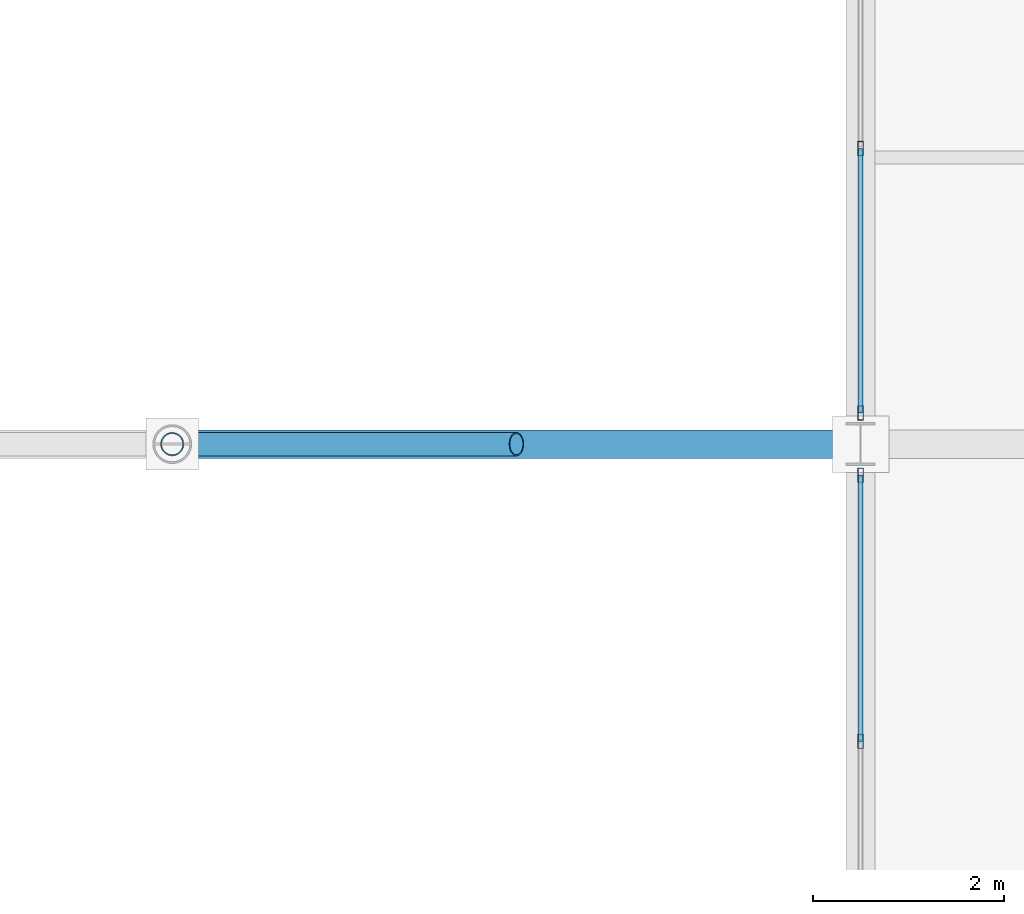
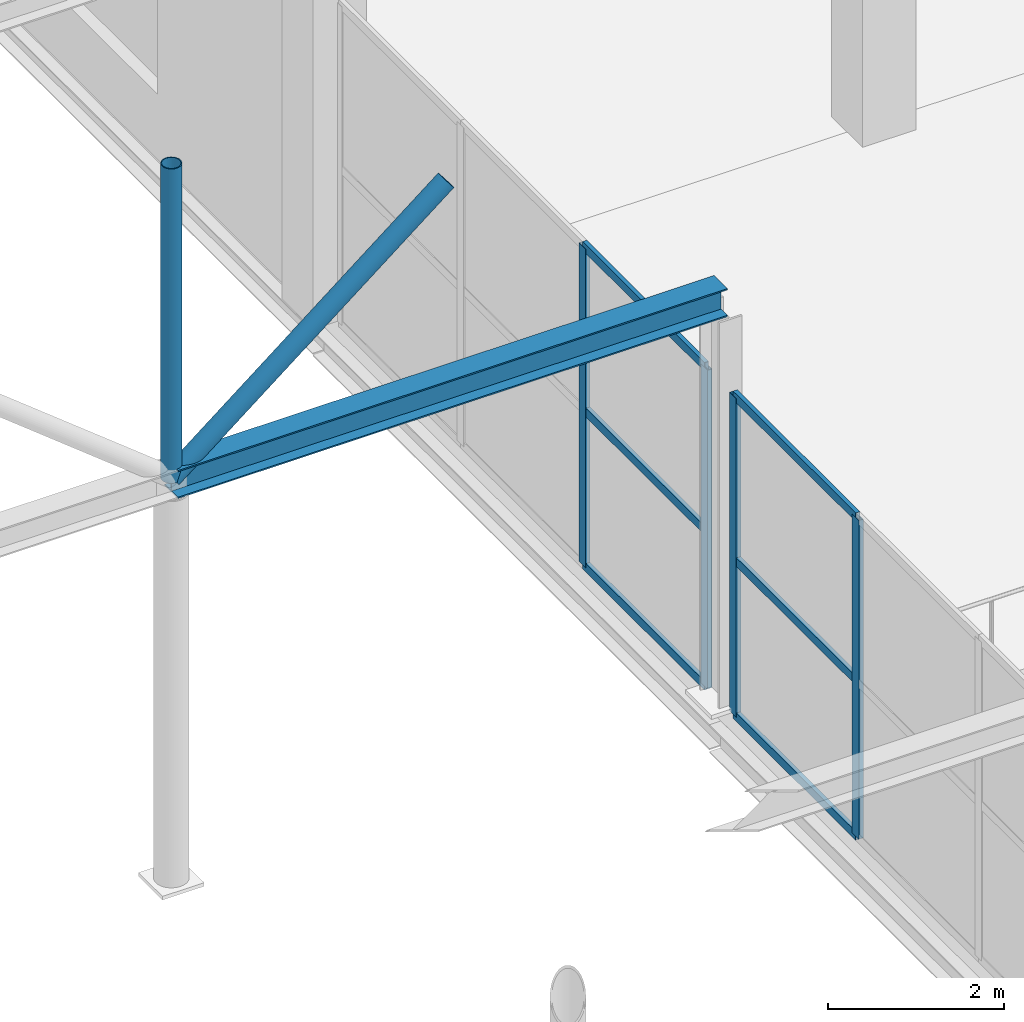
# One storey, part 43 of 147: 12 members, 1 beam, 2 elements without a shape of their own.
"""IFC4 building model written with IfcOpenShell, lengths in metres."""

import ifcopenshell
import ifcopenshell.guid

model = None  # the IFC model being written
_history = None  # IfcOwnerHistory: only IFC2X3 demands one
_inside = {}  # id of a spatial element -> (the spatial element, [elements in it])
_under = {}  # id of a project, library or spatial element -> (it, [spatial elements below it])
_declared = {}  # id of a project -> (the project, [libraries it declares])
_typed = {}  # id of a type object -> (the type object, [elements of that type])
_made_of = {}  # id of a material, layer set ... -> (it, [elements and type objects made of it])


def new_model(schema):
    """Start an empty IFC model of exactly this schema.

    Asked for "IFC4X3", IfcOpenShell would pick the latest addendum, in which some entities
    have other attributes; the version numbers below select the first issue.
    IFC2X3 requires an IfcOwnerHistory on every rooted entity: one is made here for all.
    """
    global model, _history
    if schema == "IFC4X3":
        model = ifcopenshell.file(schema_version=(4, 3, 0, 0))
    else:
        model = ifcopenshell.file(schema=schema)
    _inside.clear()
    _under.clear()
    _declared.clear()
    _typed.clear()
    _made_of.clear()
    _history = None
    if model.schema == "IFC2X3":
        org = make("IfcOrganization", Name="unknown")
        user = make(
            "IfcPersonAndOrganization",
            ThePerson=make("IfcPerson", FamilyName="unknown"),
            TheOrganization=org,
        )
        app = make(
            "IfcApplication",
            ApplicationDeveloper=org,
            Version="unknown",
            ApplicationFullName="unknown",
            ApplicationIdentifier="unknown",
        )
        _history = make(
            "IfcOwnerHistory",
            OwningUser=user,
            OwningApplication=app,
            ChangeAction="ADDED",
            CreationDate=0,
        )
    return model


def make(cls, **values):
    """One entity of the class cls with the attributes given. An attribute that is None is left unset."""
    return model.create_entity(
        cls, **{name: value for name, value in values.items() if value is not None}
    )


def rooted(cls, **values):
    """An entity with a GlobalId (a new one), such as an element, a storey or a relation."""
    return make(cls, GlobalId=ifcopenshell.guid.new(), OwnerHistory=_history, **values)


def si_unit(unit_type, name, prefix=None):
    """IfcSIUnit, for example si_unit("LENGTHUNIT", "METRE", prefix="MILLI")."""
    return make("IfcSIUnit", UnitType=unit_type, Prefix=prefix, Name=name)


def assignment(units):
    """IfcUnitAssignment: the units of a project."""
    return None if units is None else make("IfcUnitAssignment", Units=units)


def point(xyz):
    """IfcCartesianPoint."""
    return None if xyz is None else make("IfcCartesianPoint", Coordinates=xyz)


def direction(xyz):
    """IfcDirection."""
    return None if xyz is None else make("IfcDirection", DirectionRatios=xyz)


def frame(location, z_axis=None, x_axis=None):
    """IfcAxis2Placement3D, a coordinate frame: its origin and axes. An axis left out is left unset."""
    return make(
        "IfcAxis2Placement3D",
        Location=point(location),
        Axis=direction(z_axis),
        RefDirection=direction(x_axis),
    )


def frame_2d(location, x_axis=None):
    """IfcAxis2Placement2D, a coordinate frame in the plane: its origin and x axis."""
    return make(
        "IfcAxis2Placement2D", Location=point(location), RefDirection=direction(x_axis)
    )


def origin():
    """The frame at (0, 0, 0) with its axes left unset."""
    return frame((0.0, 0.0, 0.0))


def origin_2d():
    """The frame at (0, 0) in the plane with its x axis left unset."""
    return frame_2d((0.0, 0.0))


def place(relative_to, where):
    """IfcLocalPlacement: puts the frame where relative to a parent placement (None: the world)."""
    return make(
        "IfcLocalPlacement", PlacementRelTo=relative_to, RelativePlacement=where
    )


def context(
    kind, dimensions, precision=None, world=None, true_north=None, identifier=None
):
    """IfcGeometricRepresentationContext, for example the 3D "Model" context."""
    return make(
        "IfcGeometricRepresentationContext",
        ContextIdentifier=identifier,
        ContextType=kind,
        CoordinateSpaceDimension=dimensions,
        Precision=precision,
        WorldCoordinateSystem=world,
        TrueNorth=true_north,
    )


def subcontext(parent, identifier, kind, view, scale=None):
    """IfcGeometricRepresentationSubContext, for example "Body" below "Model"."""
    return make(
        "IfcGeometricRepresentationSubContext",
        ContextIdentifier=identifier,
        ContextType=kind,
        ParentContext=parent,
        TargetScale=scale,
        TargetView=view,
    )


def project(units=None, contexts=None):
    """IfcProject with its units and contexts."""
    return rooted(
        "IfcProject",
        Name="project",
        RepresentationContexts=contexts,
        UnitsInContext=assignment(units),
    )


def spatial(cls, under=None, at=None, **own):
    """A site, building, storey or space (cls), placed at a placement, below another one or the project."""
    s = rooted(cls, ObjectPlacement=at, **own)
    if under is not None:
        _under.setdefault(under.id(), (under, []))[1].append(s)
    return s


def profile(cls, at=None, kind="AREA", **sizes):
    """A parametric profile (cls). Its sizes go by their IFC names, for example OverallWidth=200.0."""
    return make(cls, ProfileType=kind, Position=at, **sizes)


def hollow_rectangle(**sizes):
    """IfcRectangleHollowProfileDef."""
    return profile("IfcRectangleHollowProfileDef", **sizes)


def hollow_circle(**sizes):
    """IfcCircleHollowProfileDef."""
    return profile("IfcCircleHollowProfileDef", **sizes)


def i_section(**sizes):
    """IfcIShapeProfileDef."""
    return profile("IfcIShapeProfileDef", **sizes)


def extrude(swept, where, along, depth):
    """IfcExtrudedAreaSolid: the profile swept, set in the frame where, extruded along a direction by depth."""
    return make(
        "IfcExtrudedAreaSolid",
        SweptArea=swept,
        Position=where,
        ExtrudedDirection=direction(along),
        Depth=depth,
    )


def shape(context_of_items, identifier, shape_type, items):
    """IfcShapeRepresentation: the items that make up one representation, for example the "Body"."""
    return make(
        "IfcShapeRepresentation",
        ContextOfItems=context_of_items,
        RepresentationIdentifier=identifier,
        RepresentationType=shape_type,
        Items=items,
    )


def material(Name=None, Category=None):
    """IfcMaterial."""
    return make("IfcMaterial", Name=Name, Category=Category)


def layer(
    of_material, thickness, ventilated=None, Name=None, Category=None, Priority=None
):
    """IfcMaterialLayer: one layer of a wall or slab, of a material (None: an air gap)."""
    return make(
        "IfcMaterialLayer",
        Material=of_material,
        LayerThickness=thickness,
        IsVentilated=ventilated,
        Name=Name,
        Category=Category,
        Priority=Priority,
    )


def layer_set(layers, Name=None):
    """IfcMaterialLayerSet."""
    return make("IfcMaterialLayerSet", MaterialLayers=layers, LayerSetName=Name)


def material_profile(
    of_material, cross_section, Name=None, Category=None, Priority=None
):
    """IfcMaterialProfile: a cross section and its material."""
    return make(
        "IfcMaterialProfile",
        Name=Name,
        Material=of_material,
        Profile=cross_section,
        Priority=Priority,
        Category=Category,
    )


def profile_set(profiles, Name=None, composite=None):
    """IfcMaterialProfileSet."""
    return make(
        "IfcMaterialProfileSet",
        Name=Name,
        MaterialProfiles=profiles,
        CompositeProfile=composite,
    )


def made_of(thing, what):
    """Note that an element or type object is made of a material, layer set ...; save() writes the relation."""
    if what is not None:
        _made_of.setdefault(what.id(), (what, []))[1].append(thing)
    return thing


def type_object(cls, material=None, **own):
    """A type object (cls), such as IfcWallType, which elements share."""
    return made_of(rooted(cls, **own), material)


def element(
    cls,
    number,
    at=None,
    inside=None,
    cuts=None,
    type_object=None,
    material=None,
    context=None,
    identifier="Body",
    shape_type=None,
    held_by="IfcProductDefinitionShape",
    body=None,
    shapes=None,
    **own,
):
    """One element of the class cls, such as IfcWall. Its Tag is "e" and its number.

    at: its placement. inside: the storey or other place that contains it. cuts: it is an
    opening in that element (IfcRelVoidsElement). A single representation is given by context,
    identifier, shape_type and body (its items); several are given by shapes. held_by: the class
    of the entity that holds the representations. save() writes the other relations.
    """
    e = rooted(cls, Tag="e%d" % number, ObjectPlacement=at, **own)
    if body is not None:
        shapes = [shape(context, identifier, shape_type, body)]
    if shapes is not None:
        e.Representation = make(held_by, Representations=shapes)
    if inside is not None:
        _inside.setdefault(inside.id(), (inside, []))[1].append(e)
    if cuts is not None:
        rooted(
            "IfcRelVoidsElement", RelatingBuildingElement=cuts, RelatedOpeningElement=e
        )
    if type_object is not None:
        _typed.setdefault(type_object.id(), (type_object, []))[1].append(e)
    return made_of(e, material)


def aggregate(whole, parts):
    """IfcRelAggregates: a whole, such as a stair, and the parts it consists of."""
    return rooted("IfcRelAggregates", RelatingObject=whole, RelatedObjects=parts)


def save(model, path):
    """Write the relations noted so far, then the file.

    IfcRelAggregates (storeys below a building ...), IfcRelContainedInSpatialStructure (elements
    in a storey), IfcRelDefinesByType, IfcRelAssociatesMaterial and IfcRelDeclares: one each for
    every whole, place, type object, material and project.
    """
    for whole, parts in _under.values():
        aggregate(whole, parts)
    for where, things in _inside.values():
        rooted(
            "IfcRelContainedInSpatialStructure",
            RelatedElements=things,
            RelatingStructure=where,
        )
    for kind, things in _typed.values():
        rooted("IfcRelDefinesByType", RelatedObjects=things, RelatingType=kind)
    for what, things in _made_of.values():
        rooted("IfcRelAssociatesMaterial", RelatedObjects=things, RelatingMaterial=what)
    for by, libraries in _declared.values():
        rooted("IfcRelDeclares", RelatingContext=by, RelatedDefinitions=libraries)
    model.write(path)


model = new_model("IFC4")

# Units and contexts
model_context = context("Model", 3, precision=1e-05, world=origin(), true_north=direction((0.0, 1.0)))
body_context = subcontext(model_context, "Body", "Model", "MODEL_VIEW")
ifc_project = project(units=[si_unit("LENGTHUNIT", "METRE"), si_unit("AREAUNIT", "SQUARE_METRE"), si_unit("VOLUMEUNIT", "CUBIC_METRE"), si_unit("PLANEANGLEUNIT", "RADIAN"), si_unit("MASSUNIT", "GRAM", prefix="KILO")], contexts=[model_context])

# Site, building, storey
site_placement = place(None, origin())
site = spatial("IfcSite", under=ifc_project, at=site_placement, CompositionType="ELEMENT")
building_placement = place(site_placement, origin())
building = spatial("IfcBuilding", under=site, at=building_placement, Name="Sundgate Opera House", CompositionType="ELEMENT")
storey_placement = place(building_placement, frame((0.0, 0.0, 6.0)))
storey = spatial("IfcBuildingStorey", under=building, at=storey_placement, Name="L01", CompositionType="ELEMENT", Elevation=6.0)

# Beam
ifc_material_1 = material(Name="Steel S355J2", Category="steel")
ifc_material_profile_1 = material_profile(ifc_material_1, i_section(OverallWidth=0.300048828125, OverallDepth=0.389892578125, WebThickness=0.010986328125, FlangeThickness=0.01904296875, at=origin_2d()), Name="HEA 400")
ifc_profile_set_1 = profile_set([ifc_material_profile_1], Name="Steel S355J2")
beam_type = type_object("IfcBeamType", Name="BM-GR-HEA400", PredefinedType="BEAM", material=ifc_profile_set_1)
beam_placement = place(storey_placement, frame((88.199951171875, 60.0, 5.5849609375), z_axis=(1.0, 0.0, 0.0), x_axis=(0.0, 1.0, 0.0)))
element("IfcBeam", 1, at=beam_placement, inside=storey, type_object=beam_type, Name="L01 Passage Arch Tie Beam B3406", PredefinedType="BEAM", context=body_context, shape_type="SweptSolid", body=[
    extrude(i_section(OverallWidth=0.300048828125, OverallDepth=0.389892578125, WebThickness=0.010986328125, FlangeThickness=0.01904296875, at=origin_2d()), origin(), (0.0, 0.0, 1.0), 7.199951171875),
])

# Curtain wall, members
ifc_material_2 = material(Name="Anodized aluminium and low-iron glass", Category="aluminium")
ifc_layer = layer(ifc_material_2, 0.159912109375)
ifc_layer_set = layer_set([ifc_layer], Name="Anodized aluminium and low-iron glass")
curtain_wall_type = type_object("IfcCurtainWallType", Name="CW-STUDIO-DARK", PredefinedType="NOTDEFINED", material=ifc_layer_set)
curtain_wall_1_placement = place(storey_placement, origin())
curtain_wall_1 = element("IfcCurtainWall", 2, at=curtain_wall_1_placement, inside=storey, type_object=curtain_wall_type, Name="L01 Curtain Wall CW048", PredefinedType="NOTDEFINED")
ifc_material_3 = material(Name="Anodized aluminium EN AW-6063", Category="aluminium")
ifc_material_profile_2 = material_profile(ifc_material_3, hollow_rectangle(XDim=0.06005859375, YDim=0.14990234375, WallThickness=0.00390625, at=origin_2d()), Name="CWM 150x60x4")
ifc_profile_set_2 = profile_set([ifc_material_profile_2], Name="Anodized aluminium EN AW-6063")
member_type_1 = type_object("IfcMemberType", Name="CWM-ALU-150x60", PredefinedType="MULLION", material=ifc_profile_set_2)
member_1_placement = place(storey_placement, frame((95.39990234375, 59.675048828125, 0.0), z_axis=(0.0, 0.0, 1.0), x_axis=(1.0, 0.0, 0.0)))
member_1 = element("IfcMember", 3, at=member_1_placement, type_object=member_type_1, Name="CW048 Mullion 1", PredefinedType="MULLION", context=body_context, shape_type="SweptSolid", body=[
    extrude(hollow_rectangle(XDim=0.06005859375, YDim=0.14990234375, WallThickness=0.00390625, at=origin_2d()), origin(), (0.0, 0.0, 1.0), 4.4150390625),
])
member_2_placement = place(storey_placement, frame((95.39990234375, 56.8916015625, 0.0), z_axis=(0.0, 0.0, 1.0), x_axis=(1.0, 0.0, 0.0)))
member_2 = element("IfcMember", 4, at=member_2_placement, type_object=member_type_1, Name="CW048 Mullion 2", PredefinedType="MULLION", context=body_context, shape_type="SweptSolid", body=[
    extrude(hollow_rectangle(XDim=0.06005859375, YDim=0.14990234375, WallThickness=0.00390625, at=origin_2d()), origin(), (0.0, 0.0, 1.0), 4.4150390625),
])

curtain_wall_2_placement = place(storey_placement, origin())
curtain_wall_2 = element("IfcCurtainWall", 5, at=curtain_wall_2_placement, inside=storey, type_object=curtain_wall_type, Name="L01 Curtain Wall CW050", PredefinedType="NOTDEFINED")
member_3_placement = place(storey_placement, frame((95.39990234375, 63.091552734375, 0.0), z_axis=(0.0, 0.0, 1.0), x_axis=(1.0, 0.0, 0.0)))
member_3 = element("IfcMember", 6, at=member_3_placement, type_object=member_type_1, Name="CW050 Mullion 3", PredefinedType="MULLION", context=body_context, shape_type="SweptSolid", body=[
    extrude(hollow_rectangle(XDim=0.06005859375, YDim=0.14990234375, WallThickness=0.00390625, at=origin_2d()), origin(), (0.0, 0.0, 1.0), 4.4150390625),
])
member_4_placement = place(storey_placement, frame((95.39990234375, 60.324951171875, 0.0), z_axis=(0.0, 0.0, 1.0), x_axis=(1.0, 0.0, 0.0)))
member_4 = element("IfcMember", 7, at=member_4_placement, type_object=member_type_1, Name="CW050 Mullion 4", PredefinedType="MULLION", context=body_context, shape_type="SweptSolid", body=[
    extrude(hollow_rectangle(XDim=0.06005859375, YDim=0.14990234375, WallThickness=0.00390625, at=origin_2d()), origin(), (0.0, 0.0, 1.0), 4.4150390625),
])

# Member
ifc_material_4 = material(Name="Anodized aluminium EN AW-6063", Category="aluminium")
ifc_material_profile_3 = material_profile(ifc_material_4, hollow_rectangle(XDim=0.054931640625, YDim=0.1201171875, WallThickness=0.00390625, at=origin_2d()), Name="CWT 120x55x4")
ifc_profile_set_3 = profile_set([ifc_material_profile_3], Name="Anodized aluminium EN AW-6063")
member_type_2 = type_object("IfcMemberType", Name="CWT-ALU-120x55", PredefinedType="USERDEFINED", material=ifc_profile_set_3)
member_5_placement = place(storey_placement, frame((95.39990234375, 59.675048828125, 0.0), z_axis=(0.0, -1.0, 0.0), x_axis=(1.0, 0.0, 0.0)))
member_5 = element("IfcMember", 8, at=member_5_placement, type_object=member_type_2, Name="CW048 Transom 1", ObjectType="TRANSOM", PredefinedType="USERDEFINED", context=body_context, shape_type="SweptSolid", body=[
    extrude(hollow_rectangle(XDim=0.054931640625, YDim=0.1201171875, WallThickness=0.00390625, at=origin_2d()), origin(), (0.0, 0.0, 1.0), 2.783447265625),
])

member_6_placement = place(storey_placement, frame((95.39990234375, 59.675048828125, 2.14990234375), z_axis=(0.0, -1.0, 0.0), x_axis=(1.0, 0.0, 0.0)))
member_6 = element("IfcMember", 9, at=member_6_placement, type_object=member_type_2, Name="CW048 Transom 2", ObjectType="TRANSOM", PredefinedType="USERDEFINED", context=body_context, shape_type="SweptSolid", body=[
    extrude(hollow_rectangle(XDim=0.054931640625, YDim=0.1201171875, WallThickness=0.00390625, at=origin_2d()), origin(), (0.0, 0.0, 1.0), 2.783447265625),
])

member_7_placement = place(storey_placement, frame((95.39990234375, 59.675048828125, 4.4150390625), z_axis=(0.0, -1.0, 0.0), x_axis=(1.0, 0.0, 0.0)))
member_7 = element("IfcMember", 10, at=member_7_placement, type_object=member_type_2, Name="CW048 Transom 3", ObjectType="TRANSOM", PredefinedType="USERDEFINED", context=body_context, shape_type="SweptSolid", body=[
    extrude(hollow_rectangle(XDim=0.054931640625, YDim=0.1201171875, WallThickness=0.00390625, at=origin_2d()), origin(), (0.0, 0.0, 1.0), 2.783447265625),
])

aggregate(curtain_wall_1, [member_1, member_2, member_5, member_6, member_7])

member_8_placement = place(storey_placement, frame((95.39990234375, 63.091552734375, 0.0), z_axis=(0.0, -1.0, 0.0), x_axis=(1.0, 0.0, 0.0)))
member_8 = element("IfcMember", 11, at=member_8_placement, type_object=member_type_2, Name="CW050 Transom 7", ObjectType="TRANSOM", PredefinedType="USERDEFINED", context=body_context, shape_type="SweptSolid", body=[
    extrude(hollow_rectangle(XDim=0.054931640625, YDim=0.1201171875, WallThickness=0.00390625, at=origin_2d()), origin(), (0.0, 0.0, 1.0), 2.7666015625),
])

member_9_placement = place(storey_placement, frame((95.39990234375, 63.091552734375, 2.14990234375), z_axis=(0.0, -1.0, 0.0), x_axis=(1.0, 0.0, 0.0)))
member_9 = element("IfcMember", 12, at=member_9_placement, type_object=member_type_2, Name="CW050 Transom 8", ObjectType="TRANSOM", PredefinedType="USERDEFINED", context=body_context, shape_type="SweptSolid", body=[
    extrude(hollow_rectangle(XDim=0.054931640625, YDim=0.1201171875, WallThickness=0.00390625, at=origin_2d()), origin(), (0.0, 0.0, 1.0), 2.7666015625),
])

member_10_placement = place(storey_placement, frame((95.39990234375, 63.091552734375, 4.4150390625), z_axis=(0.0, -1.0, 0.0), x_axis=(1.0, 0.0, 0.0)))
member_10 = element("IfcMember", 13, at=member_10_placement, type_object=member_type_2, Name="CW050 Transom 9", ObjectType="TRANSOM", PredefinedType="USERDEFINED", context=body_context, shape_type="SweptSolid", body=[
    extrude(hollow_rectangle(XDim=0.054931640625, YDim=0.1201171875, WallThickness=0.00390625, at=origin_2d()), origin(), (0.0, 0.0, 1.0), 2.7666015625),
])

aggregate(curtain_wall_2, [member_3, member_4, member_8, member_9, member_10])

# Members
ifc_material_5 = material(Name="Steel S355J2", Category="steel")
ifc_material_profile_4 = material_profile(ifc_material_5, hollow_circle(Radius=0.122314453125, WallThickness=0.012451171875, at=origin_2d()), Name="CHS 244.5x12.5")
ifc_profile_set_4 = profile_set([ifc_material_profile_4], Name="Steel S355J2")
member_type_3 = type_object("IfcMemberType", Name="MB-STRUT-CHS244", PredefinedType="STRUT", material=ifc_profile_set_4)
member_11_placement = place(storey_placement, frame((88.199951171875, 60.0, 5.594970703125), z_axis=(0.783526223691, 0.0, 0.621358718285), x_axis=(0.0, 1.0, 0.0)))
element("IfcMember", 14, at=member_11_placement, inside=storey, type_object=member_type_3, Name="Passage Arch Spandrel Strut M0326", PredefinedType="STRUT", context=body_context, shape_type="SweptSolid", body=[
    extrude(hollow_circle(Radius=0.122314453125, WallThickness=0.012451171875, at=origin_2d()), origin(), (0.0, 0.0, 1.0), 4.5947265625),
])
member_12_placement = place(storey_placement, frame((88.199951171875, 60.0, 5.594970703125), z_axis=(0.0, 0.0, 1.0), x_axis=(1.0, 0.0, 0.0)))
element("IfcMember", 15, at=member_12_placement, inside=storey, type_object=member_type_3, Name="Passage Arch Crown Post M0327", PredefinedType="STRUT", context=body_context, shape_type="SweptSolid", body=[
    extrude(hollow_circle(Radius=0.122314453125, WallThickness=0.012451171875, at=origin_2d()), origin(), (0.0, 0.0, 1.0), 4.35498046875),
])

save(model, "model.ifc")
